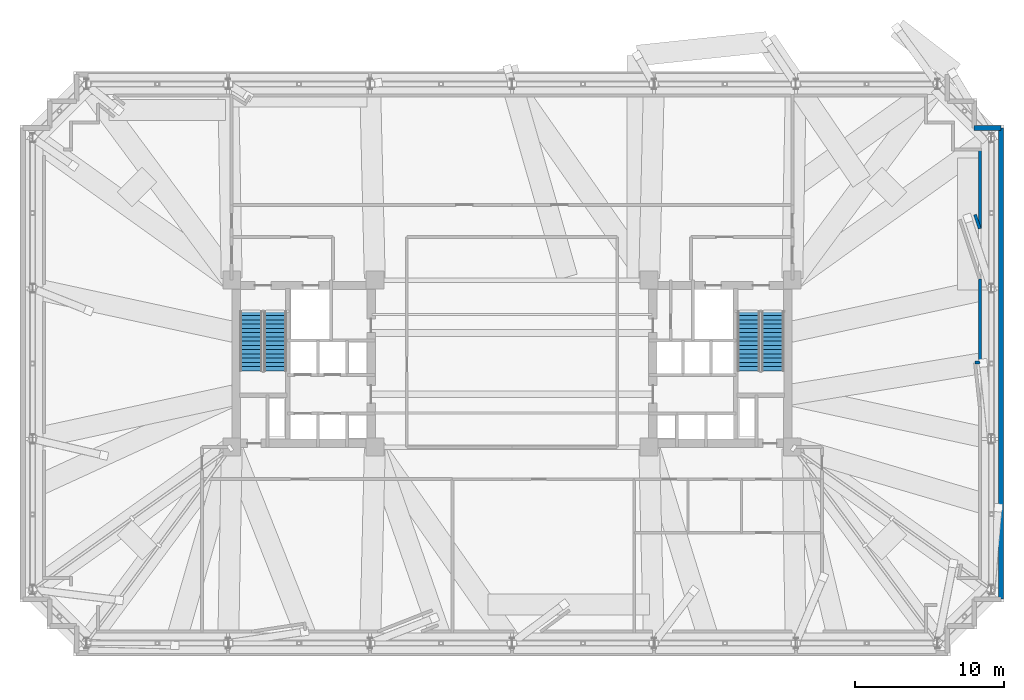
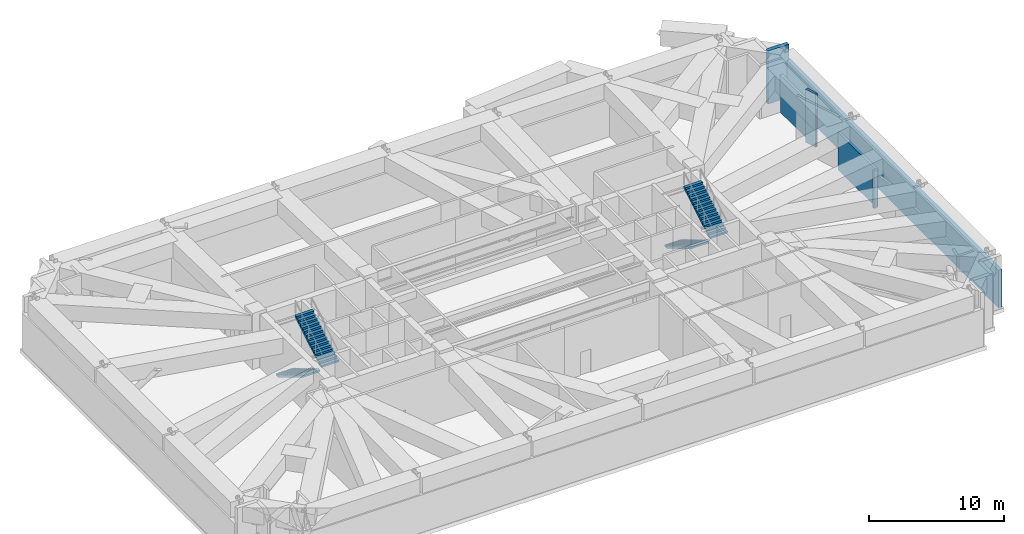
# One storey, part 18 of 20: 6 walls, 4 stair flights, 2 elements without a shape of their own.
"""IFC4 building model written with IfcOpenShell, lengths in metres."""

from ifc_helpers import new_model, si_unit, direction, frame, frame_2d, origin, place, context, subcontext, project, spatial, polyline, rectangle, outline, extrude, material, layer, layer_set, type_object, element, aggregate, save


model = new_model("IFC4")

# Units and contexts
model_context = context("Model", 3, precision=1e-05, world=origin(), true_north=direction((0.0, 1.0)))
body_context = subcontext(model_context, "Body", "Model", "MODEL_VIEW")
ifc_project = project(units=[si_unit("LENGTHUNIT", "METRE"), si_unit("AREAUNIT", "SQUARE_METRE"), si_unit("VOLUMEUNIT", "CUBIC_METRE"), si_unit("PLANEANGLEUNIT", "RADIAN"), si_unit("MASSUNIT", "GRAM", prefix="KILO")], contexts=[model_context])

# Site, building, storey
site_placement = place(None, origin())
site = spatial("IfcSite", under=ifc_project, at=site_placement, CompositionType="ELEMENT")
building_placement = place(site_placement, origin())
building = spatial("IfcBuilding", under=site, at=building_placement, Name="Qobustan Lattice House", CompositionType="ELEMENT")
storey_placement = place(building_placement, frame((0.0, 0.0, 73.89990234375)))
storey = spatial("IfcBuildingStorey", under=building, at=storey_placement, Name="L20", CompositionType="ELEMENT", Elevation=73.89990234375)

# Walls
ifc_material_1 = material(Name="Precast concrete C40/50", Category="concrete")
ifc_layer_1 = layer(ifc_material_1, 0.320068359375)
ifc_layer_set_1 = layer_set([ifc_layer_1], Name="Precast concrete C40/50")
wall_type_1 = type_object("IfcWallType", Name="WAL-EXT-STONE-320", PredefinedType="SOLIDWALL", material=ifc_layer_set_1)
wall_1_placement = place(storey_placement, frame((31.0, 15.800048828125, 0.0), z_axis=(0.0, 0.0, 1.0), x_axis=(1.0, 0.0, 0.0)))
element("IfcWall", 1, at=wall_1_placement, inside=storey, type_object=wall_type_1, Name="L20 exterior limestone-clad wall 14", PredefinedType="SOLIDWALL", context=body_context, shape_type="SweptSolid", body=[
    extrude(rectangle(XDim=1.800048828125, YDim=0.320068359375, at=frame_2d((0.89990234375, 0.0))), origin(), (0.0, 0.0, 1.0), 4.820068359375),
])
wall_2_placement = place(storey_placement, frame((32.800048828125, 15.800048828125, 0.0), z_axis=(0.0, 0.0, 1.0), x_axis=(0.0, -1.0, 0.0)))
element("IfcWall", 2, at=wall_2_placement, inside=storey, type_object=wall_type_1, Name="L20 exterior limestone-clad wall 15", PredefinedType="SOLIDWALL", context=body_context, shape_type="SweptSolid", body=[
    extrude(rectangle(XDim=31.60009765625, YDim=0.320068359375, at=frame_2d((15.800048828125, 0.0))), origin(), (0.0, 0.0, 1.0), 3.405029296875),
])
ifc_material_2 = material(Name="Two-hour gypsum fireboard acoustic partition", Category="gypsum")
ifc_layer_2 = layer(ifc_material_2, 0.199951171875)
ifc_layer_set_2 = layer_set([ifc_layer_2], Name="Two-hour gypsum fireboard acoustic partition")
wall_type_2 = type_object("IfcWallType", Name="WAL-PROT-200", PredefinedType="PARTITIONING", material=ifc_layer_set_2)
wall_3_placement = place(storey_placement, frame((31.375, 9.056396484375, 0.0), z_axis=(0.0, 0.0, 1.0), x_axis=(-0.316966519809, 0.948436727104, 0.0)))
element("IfcWall", 3, at=wall_3_placement, inside=storey, type_object=wall_type_2, Name="L20 perimeter belt-truss plenum enclosure wall 30", PredefinedType="PARTITIONING", context=body_context, shape_type="SweptSolid", body=[
    extrude(rectangle(XDim=0.9912109375, YDim=0.199951171875, at=frame_2d((0.49560546875, 0.0))), origin(), (0.0, 0.0, 1.0), 4.820068359375),
])
wall_4_placement = place(storey_placement, frame((31.375, 5.680908203125, 0.0), z_axis=(0.0, 0.0, 1.0), x_axis=(0.0, -1.0, 0.0)))
element("IfcWall", 4, at=wall_4_placement, inside=storey, type_object=wall_type_2, Name="L20 perimeter belt-truss plenum enclosure wall 32", PredefinedType="PARTITIONING", context=body_context, shape_type="SweptSolid", body=[
    extrude(rectangle(XDim=5.5869140625, YDim=0.199951171875, at=frame_2d((2.79345703125, 0.0))), origin(), (0.0, 0.0, 1.0), 3.405029296875),
])
wall_5_placement = place(storey_placement, frame((31.375, 0.093994140625, 0.0), z_axis=(0.0, 0.0, 1.0), x_axis=(-0.994151615588, -0.107993357317, 0.0)))
element("IfcWall", 5, at=wall_5_placement, inside=storey, type_object=wall_type_2, Name="L20 perimeter belt-truss plenum enclosure wall 33", PredefinedType="PARTITIONING", context=body_context, shape_type="SweptSolid", body=[
    extrude(rectangle(XDim=0.31884765625, YDim=0.199951171875, at=frame_2d((0.159423828125, 0.0))), origin(), (0.0, 0.0, 1.0), 3.405029296875),
])
wall_6_placement = place(storey_placement, frame((31.375, 14.287109375, 0.0), z_axis=(0.0, 0.0, 1.0), x_axis=(0.0, -1.0, 0.0)))
element("IfcWall", 6, at=wall_6_placement, inside=storey, type_object=wall_type_2, Name="L20 perimeter belt-truss plenum enclosure wall 46", PredefinedType="PARTITIONING", context=body_context, shape_type="SweptSolid", body=[
    extrude(rectangle(XDim=5.230712890625, YDim=0.199951171875, at=frame_2d((2.615234375, 0.0))), origin(), (0.0, 0.0, 1.0), 3.405029296875),
])

# Stair, stair flights
ifc_material_3 = material(Name="Concrete C40/50", Category="concrete")
stair_type = type_object("IfcStairType", Name="STR-CORE-DOGLEG", PredefinedType="HALF_TURN_STAIR", material=ifc_material_3)
stair_1_placement = place(storey_placement, origin())
stair_1 = element("IfcStair", 7, at=stair_1_placement, inside=storey, type_object=stair_type, Name="L20 West protected exit stair ST-W1", PredefinedType="HALF_TURN_STAIR")
ifc_material_4 = material(Name="Concrete C40/50", Category="concrete")
stair_flight_type = type_object("IfcStairFlightType", Name="SFL-RC-1500", PredefinedType="STRAIGHT", material=ifc_material_4)
stair_flight_1_placement = place(storey_placement, frame((-17.5, 3.5, 0.0), z_axis=(0.0, 0.0, 1.0), x_axis=(0.0, -1.0, 0.0)))
stair_flight_1 = element("IfcStairFlight", 8, at=stair_flight_1_placement, type_object=stair_flight_type, Name="ST-W1 flight 1", NumberOfRisers=15, NumberOfTreads=14, PredefinedType="STRAIGHT", RiserHeight=0.17, TreadLength=0.285, context=body_context, shape_type="SweptSolid", body=[
    extrude(outline(polyline([(0.0, 0.0), (0.0, 0.169921875), (0.284912109375, 0.169921875), (0.284912109375, 0.340087890625), (0.570068359375, 0.340087890625), (0.570068359375, 0.510009765625), (0.85498046875, 0.510009765625), (0.85498046875, 0.679931640625), (1.139892578125, 0.679931640625), (1.139892578125, 0.85009765625), (1.425048828125, 0.85009765625), (1.425048828125, 1.02001953125), (1.7099609375, 1.02001953125), (1.7099609375, 1.18994140625), (1.9951171875, 1.18994140625), (1.9951171875, 1.360107421875), (2.280029296875, 1.360107421875), (2.280029296875, 1.530029296875), (2.56494140625, 1.530029296875), (2.56494140625, 1.699951171875), (2.85009765625, 1.699951171875), (2.85009765625, 1.8701171875), (3.135009765625, 1.8701171875), (3.135009765625, 2.0400390625), (3.419921875, 2.0400390625), (3.419921875, 2.2099609375), (3.705078125, 2.2099609375), (3.705078125, 2.3798828125), (3.989990234375, 2.3798828125), (3.989990234375, 2.550048828125), (3.989990234375, 2.20556640625), (0.292724609375, 0.0), (0.0, 0.0)])), frame((0.0, 0.75, 0.0), z_axis=(0.0, -1.0, 0.0), x_axis=(1.0, 0.0, 0.0)), (0.0, 0.0, 1.0), 1.5),
])
stair_flight_2_placement = place(storey_placement, frame((-15.8798828125, -0.489990234375, 2.550048828125), z_axis=(0.0, 0.0, 1.0), x_axis=(0.0, 1.0, 0.0)))
stair_flight_2 = element("IfcStairFlight", 9, at=stair_flight_2_placement, type_object=stair_flight_type, Name="ST-W1 flight 2", NumberOfRisers=15, NumberOfTreads=14, PredefinedType="STRAIGHT", RiserHeight=0.17, TreadLength=0.285, context=body_context, shape_type="SweptSolid", body=[
    extrude(outline(polyline([(0.0, 0.0), (0.0, 0.169921875), (0.284912109375, 0.169921875), (0.284912109375, 0.340087890625), (0.570068359375, 0.340087890625), (0.570068359375, 0.510009765625), (0.85498046875, 0.510009765625), (0.85498046875, 0.679931640625), (1.139892578125, 0.679931640625), (1.139892578125, 0.85009765625), (1.425048828125, 0.85009765625), (1.425048828125, 1.02001953125), (1.7099609375, 1.02001953125), (1.7099609375, 1.18994140625), (1.9951171875, 1.18994140625), (1.9951171875, 1.360107421875), (2.280029296875, 1.360107421875), (2.280029296875, 1.530029296875), (2.56494140625, 1.530029296875), (2.56494140625, 1.699951171875), (2.85009765625, 1.699951171875), (2.85009765625, 1.8701171875), (3.135009765625, 1.8701171875), (3.135009765625, 2.0400390625), (3.419921875, 2.0400390625), (3.419921875, 2.2099609375), (3.705078125, 2.2099609375), (3.705078125, 2.3798828125), (3.989990234375, 2.3798828125), (3.989990234375, 2.550048828125), (3.989990234375, 2.20556640625), (0.292724609375, 0.0), (0.0, 0.0)])), frame((0.0, 0.75, 0.0), z_axis=(0.0, -1.0, 0.0), x_axis=(1.0, 0.0, 0.0)), (0.0, 0.0, 1.0), 1.5),
])
aggregate(stair_1, [stair_flight_1, stair_flight_2])

stair_2_placement = place(storey_placement, origin())
stair_2 = element("IfcStair", 10, at=stair_2_placement, inside=storey, type_object=stair_type, Name="L20 East protected exit stair ST-E1", PredefinedType="HALF_TURN_STAIR")
stair_flight_3_placement = place(storey_placement, frame((15.8798828125, 3.5, 0.0), z_axis=(0.0, 0.0, 1.0), x_axis=(0.0, -1.0, 0.0)))
stair_flight_3 = element("IfcStairFlight", 11, at=stair_flight_3_placement, type_object=stair_flight_type, Name="ST-E1 flight 1", NumberOfRisers=15, NumberOfTreads=14, PredefinedType="STRAIGHT", RiserHeight=0.17, TreadLength=0.285, context=body_context, shape_type="SweptSolid", body=[
    extrude(outline(polyline([(0.0, 0.0), (0.0, 0.169921875), (0.284912109375, 0.169921875), (0.284912109375, 0.340087890625), (0.570068359375, 0.340087890625), (0.570068359375, 0.510009765625), (0.85498046875, 0.510009765625), (0.85498046875, 0.679931640625), (1.139892578125, 0.679931640625), (1.139892578125, 0.85009765625), (1.425048828125, 0.85009765625), (1.425048828125, 1.02001953125), (1.7099609375, 1.02001953125), (1.7099609375, 1.18994140625), (1.9951171875, 1.18994140625), (1.9951171875, 1.360107421875), (2.280029296875, 1.360107421875), (2.280029296875, 1.530029296875), (2.56494140625, 1.530029296875), (2.56494140625, 1.699951171875), (2.85009765625, 1.699951171875), (2.85009765625, 1.8701171875), (3.135009765625, 1.8701171875), (3.135009765625, 2.0400390625), (3.419921875, 2.0400390625), (3.419921875, 2.2099609375), (3.705078125, 2.2099609375), (3.705078125, 2.3798828125), (3.989990234375, 2.3798828125), (3.989990234375, 2.550048828125), (3.989990234375, 2.20556640625), (0.292724609375, 0.0), (0.0, 0.0)])), frame((0.0, 0.75, 0.0), z_axis=(0.0, -1.0, 0.0), x_axis=(1.0, 0.0, 0.0)), (0.0, 0.0, 1.0), 1.5),
])
stair_flight_4_placement = place(storey_placement, frame((17.5, -0.489990234375, 2.550048828125), z_axis=(0.0, 0.0, 1.0), x_axis=(0.0, 1.0, 0.0)))
stair_flight_4 = element("IfcStairFlight", 12, at=stair_flight_4_placement, type_object=stair_flight_type, Name="ST-E1 flight 2", NumberOfRisers=15, NumberOfTreads=14, PredefinedType="STRAIGHT", RiserHeight=0.17, TreadLength=0.285, context=body_context, shape_type="SweptSolid", body=[
    extrude(outline(polyline([(0.0, 0.0), (0.0, 0.169921875), (0.284912109375, 0.169921875), (0.284912109375, 0.340087890625), (0.570068359375, 0.340087890625), (0.570068359375, 0.510009765625), (0.85498046875, 0.510009765625), (0.85498046875, 0.679931640625), (1.139892578125, 0.679931640625), (1.139892578125, 0.85009765625), (1.425048828125, 0.85009765625), (1.425048828125, 1.02001953125), (1.7099609375, 1.02001953125), (1.7099609375, 1.18994140625), (1.9951171875, 1.18994140625), (1.9951171875, 1.360107421875), (2.280029296875, 1.360107421875), (2.280029296875, 1.530029296875), (2.56494140625, 1.530029296875), (2.56494140625, 1.699951171875), (2.85009765625, 1.699951171875), (2.85009765625, 1.8701171875), (3.135009765625, 1.8701171875), (3.135009765625, 2.0400390625), (3.419921875, 2.0400390625), (3.419921875, 2.2099609375), (3.705078125, 2.2099609375), (3.705078125, 2.3798828125), (3.989990234375, 2.3798828125), (3.989990234375, 2.550048828125), (3.989990234375, 2.20556640625), (0.292724609375, 0.0), (0.0, 0.0)])), frame((0.0, 0.75, 0.0), z_axis=(0.0, -1.0, 0.0), x_axis=(1.0, 0.0, 0.0)), (0.0, 0.0, 1.0), 1.5),
])
aggregate(stair_2, [stair_flight_3, stair_flight_4])

save(model, "model.ifc")
